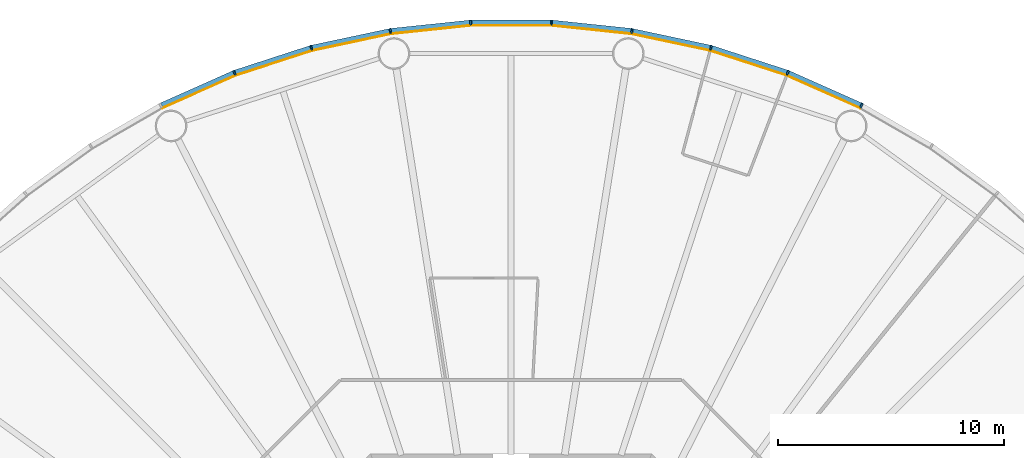
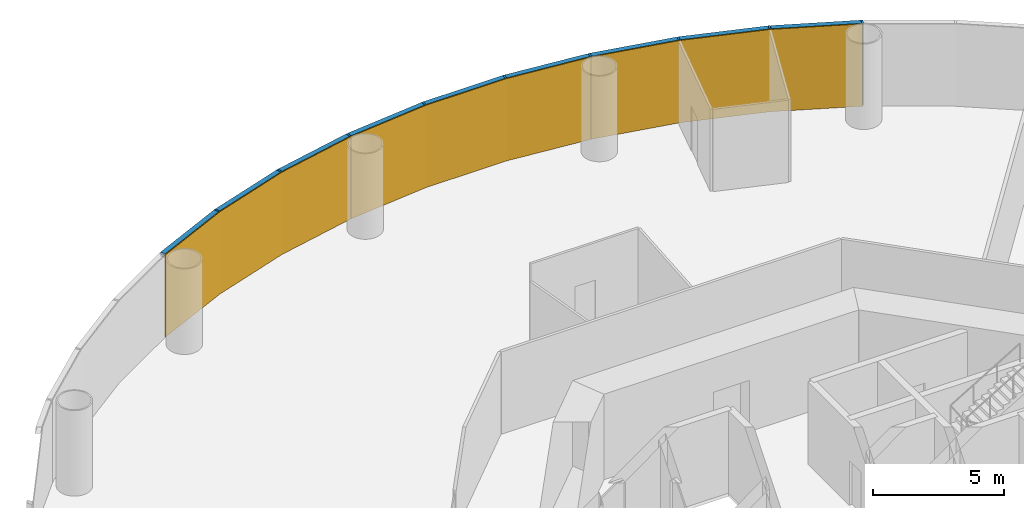
# One storey, part 12 of 13: 18 members, 3 curtain walls.
"""IFC4 building model written with IfcOpenShell, lengths in metres."""

from ifc_helpers import new_model, si_unit, direction, frame, origin, origin_2d, place, context, subcontext, project, spatial, polyline, rectangle, outline, extrude, material, layer, layer_set, material_profile, profile_set, type_object, element, aggregate, save


model = new_model("IFC4")

# Units and contexts
model_context = context("Model", 3, precision=1e-05, world=origin(), true_north=direction((0.0, 1.0)))
body_context = subcontext(model_context, "Body", "Model", "MODEL_VIEW")
ifc_project = project(units=[si_unit("LENGTHUNIT", "METRE"), si_unit("AREAUNIT", "SQUARE_METRE"), si_unit("VOLUMEUNIT", "CUBIC_METRE"), si_unit("PLANEANGLEUNIT", "RADIAN"), si_unit("MASSUNIT", "GRAM", prefix="KILO")], contexts=[model_context])

# Member
ifc_material_1 = material(Name="Anodised aluminium", Category="aluminium")
ifc_material_profile_1 = material_profile(ifc_material_1, rectangle(XDim=0.074951171875, YDim=0.219970703125, at=origin_2d()), Name="Mullion 75 x 220 mm anodised aluminium")
ifc_profile_set_1 = profile_set([ifc_material_profile_1], Name="Anodised aluminium")
member_type_1 = type_object("IfcMemberType", Name="Mullion 75 x 220 mm anodised aluminium", PredefinedType="MULLION", material=ifc_profile_set_1)
site_placement = place(None, origin())
building_placement = place(site_placement, origin())
storey_placement = place(building_placement, frame((0.0, 0.0, 42.0)))
member_1_placement = place(storey_placement, frame((105.485595703125, 110.392333984375, 0.0), z_axis=(0.0, 0.0, 1.0), x_axis=(-0.891006524188, 0.45399049974, 0.0)))
member_1 = element("IfcMember", 1, at=member_1_placement, type_object=member_type_1, Name="MULLION L08-09", PredefinedType="MULLION", context=body_context, shape_type="SweptSolid", body=[
    extrude(rectangle(XDim=0.074951171875, YDim=0.219970703125, at=origin_2d()), origin(), (0.0, 0.0, 1.0), 3.85009765625),
])

member_2_placement = place(storey_placement, frame((102.223876953125, 111.844482421875, 0.0), z_axis=(0.0, 0.0, 1.0), x_axis=(-0.933580426497, 0.358367949545, 0.0)))
member_2 = element("IfcMember", 2, at=member_2_placement, type_object=member_type_1, Name="MULLION L08-10", PredefinedType="MULLION", context=body_context, shape_type="SweptSolid", body=[
    extrude(rectangle(XDim=0.074951171875, YDim=0.219970703125, at=origin_2d()), origin(), (0.0, 0.0, 1.0), 3.85009765625),
])

member_3_placement = place(storey_placement, frame((98.828369140625, 112.94775390625, 0.0), z_axis=(0.0, 0.0, 1.0), x_axis=(-0.965925826289, 0.258819045103, 0.0)))
member_3 = element("IfcMember", 3, at=member_3_placement, type_object=member_type_1, Name="MULLION L08-11", PredefinedType="MULLION", context=body_context, shape_type="SweptSolid", body=[
    extrude(rectangle(XDim=0.074951171875, YDim=0.219970703125, at=origin_2d()), origin(), (0.0, 0.0, 1.0), 3.85009765625),
])

member_4_placement = place(storey_placement, frame((95.3359375, 113.68994140625, 0.0), z_axis=(0.0, 0.0, 1.0), x_axis=(-0.987688340595, 0.15643446504, 0.0)))
member_4 = element("IfcMember", 4, at=member_4_placement, type_object=member_type_1, Name="MULLION L08-12", PredefinedType="MULLION", context=body_context, shape_type="SweptSolid", body=[
    extrude(rectangle(XDim=0.074951171875, YDim=0.219970703125, at=origin_2d()), origin(), (0.0, 0.0, 1.0), 3.85009765625),
])

member_5_placement = place(storey_placement, frame((91.78515625, 114.063232421875, 0.0), z_axis=(0.0, 0.0, 1.0), x_axis=(-0.998629534755, 0.052335956243, 0.0)))
member_5 = element("IfcMember", 5, at=member_5_placement, type_object=member_type_1, Name="MULLION L08-13", PredefinedType="MULLION", context=body_context, shape_type="SweptSolid", body=[
    extrude(rectangle(XDim=0.074951171875, YDim=0.219970703125, at=origin_2d()), origin(), (0.0, 0.0, 1.0), 3.85009765625),
])

member_6_placement = place(storey_placement, frame((88.21484375, 114.063232421875, 0.0), z_axis=(0.0, 0.0, 1.0), x_axis=(-0.998629534755, -0.052335956243, 0.0)))
member_6 = element("IfcMember", 6, at=member_6_placement, type_object=member_type_1, Name="MULLION L08-14", PredefinedType="MULLION", context=body_context, shape_type="SweptSolid", body=[
    extrude(rectangle(XDim=0.074951171875, YDim=0.219970703125, at=origin_2d()), origin(), (0.0, 0.0, 1.0), 3.85009765625),
])

member_7_placement = place(storey_placement, frame((84.6640625, 113.68994140625, 0.0), z_axis=(0.0, 0.0, 1.0), x_axis=(-0.987688340595, -0.15643446504, 0.0)))
member_7 = element("IfcMember", 7, at=member_7_placement, type_object=member_type_1, Name="MULLION L08-15", PredefinedType="MULLION", context=body_context, shape_type="SweptSolid", body=[
    extrude(rectangle(XDim=0.074951171875, YDim=0.219970703125, at=origin_2d()), origin(), (0.0, 0.0, 1.0), 3.85009765625),
])

member_8_placement = place(storey_placement, frame((81.171630859375, 112.94775390625, 0.0), z_axis=(0.0, 0.0, 1.0), x_axis=(-0.965925826289, -0.258819045103, 0.0)))
member_8 = element("IfcMember", 8, at=member_8_placement, type_object=member_type_1, Name="MULLION L08-16", PredefinedType="MULLION", context=body_context, shape_type="SweptSolid", body=[
    extrude(rectangle(XDim=0.074951171875, YDim=0.219970703125, at=origin_2d()), origin(), (0.0, 0.0, 1.0), 3.85009765625),
])

member_9_placement = place(storey_placement, frame((77.776123046875, 111.844482421875, 0.0), z_axis=(0.0, 0.0, 1.0), x_axis=(-0.933580426497, -0.358367949545, 0.0)))
member_9 = element("IfcMember", 9, at=member_9_placement, type_object=member_type_1, Name="MULLION L08-17", PredefinedType="MULLION", context=body_context, shape_type="SweptSolid", body=[
    extrude(rectangle(XDim=0.074951171875, YDim=0.219970703125, at=origin_2d()), origin(), (0.0, 0.0, 1.0), 3.85009765625),
])

ifc_material_2 = material(Name="Anodised aluminium", Category="aluminium")
ifc_material_profile_2 = material_profile(ifc_material_2, rectangle(XDim=0.219970703125, YDim=0.199951171875, at=origin_2d()), Name="Transom 200 x 220 mm anodised aluminium")
ifc_profile_set_2 = profile_set([ifc_material_profile_2], Name="Anodised aluminium")
member_type_2 = type_object("IfcMemberType", Name="Transom 200 x 220 mm anodised aluminium", PredefinedType="USERDEFINED", material=ifc_profile_set_2)
member_10_placement = place(storey_placement, frame((105.446044921875, 110.409912109375, 3.75), z_axis=(-0.913545487371, 0.406736576304, 0.0), x_axis=(-0.406736576304, -0.913545487371, 0.0)))
member_10 = element("IfcMember", 10, at=member_10_placement, type_object=member_type_2, Name="TRANSOM L08-09", ObjectType="TRANSOM", PredefinedType="USERDEFINED", context=body_context, shape_type="SweptSolid", body=[
    extrude(rectangle(XDim=0.219970703125, YDim=0.199951171875, at=origin_2d()), origin(), (0.0, 0.0, 1.0), 3.48388671875),
])

member_11_placement = place(storey_placement, frame((102.182861328125, 111.85791015625, 3.75), z_axis=(-0.951052605696, 0.309029029702, 0.0), x_axis=(-0.309029029702, -0.951052605696, 0.0)))
member_11 = element("IfcMember", 11, at=member_11_placement, type_object=member_type_2, Name="TRANSOM L08-10", ObjectType="TRANSOM", PredefinedType="USERDEFINED", context=body_context, shape_type="SweptSolid", body=[
    extrude(rectangle(XDim=0.219970703125, YDim=0.199951171875, at=origin_2d()), origin(), (0.0, 0.0, 1.0), 3.484130859375),
])

member_12_placement = place(storey_placement, frame((98.7861328125, 112.956787109375, 3.75), z_axis=(-0.978145669426, 0.207920776701, 0.0), x_axis=(-0.207920776701, -0.978145669426, 0.0)))
member_12 = element("IfcMember", 12, at=member_12_placement, type_object=member_type_2, Name="TRANSOM L08-11", ObjectType="TRANSOM", PredefinedType="USERDEFINED", context=body_context, shape_type="SweptSolid", body=[
    extrude(rectangle(XDim=0.219970703125, YDim=0.199951171875, at=origin_2d()), origin(), (0.0, 0.0, 1.0), 3.48388671875),
])

member_13_placement = place(storey_placement, frame((95.29296875, 113.69482421875, 3.75), z_axis=(-0.994526551648, 0.104484152234, 0.0), x_axis=(-0.104484152234, -0.994526551648, 0.0)))
member_13 = element("IfcMember", 13, at=member_13_placement, type_object=member_type_2, Name="TRANSOM L08-12", ObjectType="TRANSOM", PredefinedType="USERDEFINED", context=body_context, shape_type="SweptSolid", body=[
    extrude(rectangle(XDim=0.219970703125, YDim=0.199951171875, at=origin_2d()), origin(), (0.0, 0.0, 1.0), 3.48388671875),
])

member_14_placement = place(storey_placement, frame((91.741943359375, 114.0634765625, 3.75), z_axis=(-1.0, 0.0, 0.0), x_axis=(0.0, -1.0, 0.0)))
member_14 = element("IfcMember", 14, at=member_14_placement, type_object=member_type_2, Name="TRANSOM L08-13", ObjectType="TRANSOM", PredefinedType="USERDEFINED", context=body_context, shape_type="SweptSolid", body=[
    extrude(rectangle(XDim=0.219970703125, YDim=0.199951171875, at=origin_2d()), origin(), (0.0, 0.0, 1.0), 3.48388671875),
])

member_15_placement = place(storey_placement, frame((88.171875, 114.058837890625, 3.75), z_axis=(-0.994526551648, -0.104484152234, 0.0), x_axis=(0.104484152234, -0.994526551648, 0.0)))
member_15 = element("IfcMember", 15, at=member_15_placement, type_object=member_type_2, Name="TRANSOM L08-14", ObjectType="TRANSOM", PredefinedType="USERDEFINED", context=body_context, shape_type="SweptSolid", body=[
    extrude(rectangle(XDim=0.219970703125, YDim=0.199951171875, at=origin_2d()), origin(), (0.0, 0.0, 1.0), 3.48388671875),
])

member_16_placement = place(storey_placement, frame((84.62158203125, 113.68115234375, 3.75), z_axis=(-0.978145669426, -0.207920776701, 0.0), x_axis=(0.207920776701, -0.978145669426, 0.0)))
member_16 = element("IfcMember", 16, at=member_16_placement, type_object=member_type_2, Name="TRANSOM L08-15", ObjectType="TRANSOM", PredefinedType="USERDEFINED", context=body_context, shape_type="SweptSolid", body=[
    extrude(rectangle(XDim=0.219970703125, YDim=0.199951171875, at=origin_2d()), origin(), (0.0, 0.0, 1.0), 3.48388671875),
])

member_17_placement = place(storey_placement, frame((81.130615234375, 112.9345703125, 3.75), z_axis=(-0.951052605696, -0.309029029702, 0.0), x_axis=(0.309029029702, -0.951052605696, 0.0)))
member_17 = element("IfcMember", 17, at=member_17_placement, type_object=member_type_2, Name="TRANSOM L08-16", ObjectType="TRANSOM", PredefinedType="USERDEFINED", context=body_context, shape_type="SweptSolid", body=[
    extrude(rectangle(XDim=0.219970703125, YDim=0.199951171875, at=origin_2d()), origin(), (0.0, 0.0, 1.0), 3.484130859375),
])

member_18_placement = place(storey_placement, frame((77.736572265625, 111.826904296875, 3.75), z_axis=(-0.913545487371, -0.406736576304, 0.0), x_axis=(0.406736576304, -0.913545487371, 0.0)))
member_18 = element("IfcMember", 18, at=member_18_placement, type_object=member_type_2, Name="TRANSOM L08-17", ObjectType="TRANSOM", PredefinedType="USERDEFINED", context=body_context, shape_type="SweptSolid", body=[
    extrude(rectangle(XDim=0.219970703125, YDim=0.199951171875, at=origin_2d()), origin(), (0.0, 0.0, 1.0), 3.48388671875),
])

# Site, building, storey
site = spatial("IfcSite", under=ifc_project, at=site_placement, CompositionType="ELEMENT")
building = spatial("IfcBuilding", under=site, at=building_placement, Name="Entoto Ring Tower", CompositionType="ELEMENT")
storey = spatial("IfcBuildingStorey", under=building, at=storey_placement, Name="L08", CompositionType="ELEMENT", Elevation=42.0)

# Curtain wall
ifc_material_3 = material(Name="Clear low-iron glass", Category="glass")
ifc_layer = layer(ifc_material_3, 0.0400390625)
ifc_layer_set = layer_set([ifc_layer], Name="Clear low-iron glass")
curtain_wall_type = type_object("IfcCurtainWallType", Name="Curtain wall system CW1 glazing 40 mm", PredefinedType="NOTDEFINED", material=ifc_layer_set)
curtain_wall_1_placement = place(storey_placement, origin())
curtain_wall_1 = element("IfcCurtainWall", 19, at=curtain_wall_1_placement, inside=storey, type_object=curtain_wall_type, Name="CW1 L08-04", PredefinedType="NOTDEFINED", context=body_context, shape_type="SweptSolid", body=[
    extrude(outline(polyline([(105.435791015625, 110.294189453125), (102.1845703125, 111.74169921875), (98.7998046875, 112.841552734375), (95.31884765625, 113.581298828125), (95.3125, 113.541748046875), (98.78955078125, 112.802734375), (102.170166015625, 111.704345703125), (105.41748046875, 110.258544921875), (105.435791015625, 110.294189453125)])), origin(), (0.0, 0.0, 1.0), 3.85009765625),
])

aggregate(curtain_wall_1, [member_1, member_2, member_3, member_10, member_11, member_12])

curtain_wall_2_placement = place(storey_placement, origin())
curtain_wall_2 = element("IfcCurtainWall", 20, at=curtain_wall_2_placement, inside=storey, type_object=curtain_wall_type, Name="CW1 L08-05", PredefinedType="NOTDEFINED", context=body_context, shape_type="SweptSolid", body=[
    extrude(outline(polyline([(95.31884765625, 113.581298828125), (91.779541015625, 113.953369140625), (88.220458984375, 113.953369140625), (84.68115234375, 113.581298828125), (84.6875, 113.541748046875), (88.22265625, 113.913330078125), (91.77734375, 113.913330078125), (95.3125, 113.541748046875), (95.31884765625, 113.581298828125)])), origin(), (0.0, 0.0, 1.0), 3.85009765625),
])

aggregate(curtain_wall_2, [member_4, member_5, member_6, member_13, member_14, member_15])

curtain_wall_3_placement = place(storey_placement, origin())
curtain_wall_3 = element("IfcCurtainWall", 21, at=curtain_wall_3_placement, inside=storey, type_object=curtain_wall_type, Name="CW1 L08-06", PredefinedType="NOTDEFINED", context=body_context, shape_type="SweptSolid", body=[
    extrude(outline(polyline([(84.68115234375, 113.581298828125), (81.2001953125, 112.841552734375), (77.8154296875, 111.74169921875), (74.564208984375, 110.294189453125), (74.58251953125, 110.258544921875), (77.829833984375, 111.704345703125), (81.21044921875, 112.802734375), (84.6875, 113.541748046875), (84.68115234375, 113.581298828125)])), origin(), (0.0, 0.0, 1.0), 3.85009765625),
])

aggregate(curtain_wall_3, [member_7, member_8, member_9, member_16, member_17, member_18])

save(model, "model.ifc")
